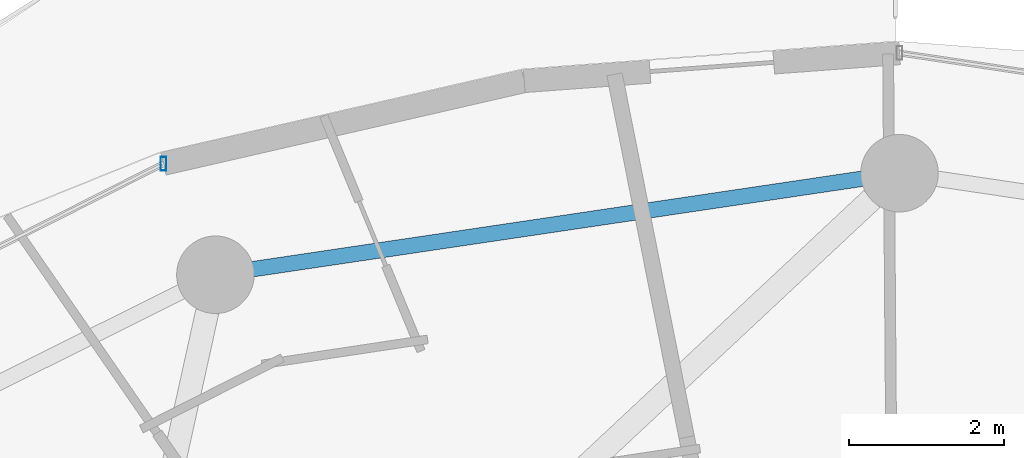
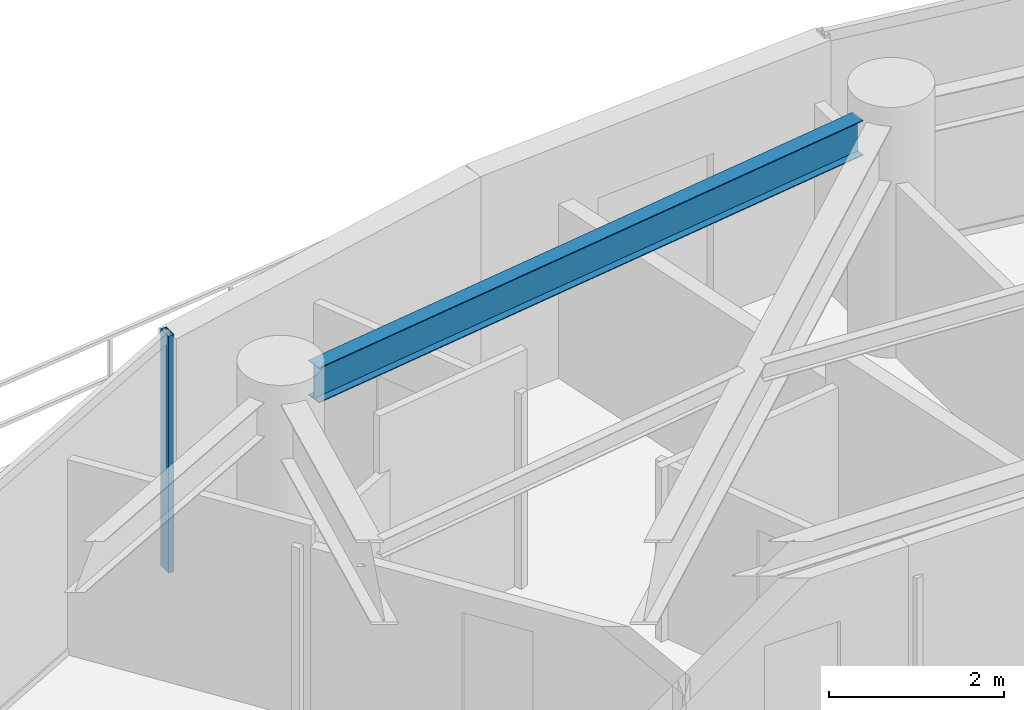
# One storey, part 17 of 30: 1 beam, 1 member, 1 element without a shape of its own.
"""IFC4 building model written with IfcOpenShell, lengths in metres."""

from ifc_helpers import new_model, si_unit, direction, frame, origin, origin_2d, place, context, subcontext, project, spatial, hollow_rectangle, i_section, extrude, material, material_profile, profile_set, type_object, element, aggregate, save


model = new_model("IFC4")

# Units and contexts
model_context = context("Model", 3, precision=1e-05, world=origin(), true_north=direction((0.0, 1.0)))
body_context = subcontext(model_context, "Body", "Model", "MODEL_VIEW")
ifc_project = project(units=[si_unit("LENGTHUNIT", "METRE"), si_unit("AREAUNIT", "SQUARE_METRE"), si_unit("VOLUMEUNIT", "CUBIC_METRE"), si_unit("PLANEANGLEUNIT", "RADIAN"), si_unit("MASSUNIT", "GRAM", prefix="KILO")], contexts=[model_context])

# Site, building, storey
site_placement = place(None, origin())
site = spatial("IfcSite", under=ifc_project, at=site_placement, CompositionType="ELEMENT")
building_placement = place(site_placement, origin())
building = spatial("IfcBuilding", under=site, at=building_placement, Name="Vorneva Point Tower", CompositionType="ELEMENT")
storey_placement = place(building_placement, frame((0.0, 0.0, 157.10009765625)))
storey = spatial("IfcBuildingStorey", under=building, at=storey_placement, Name="L42", CompositionType="ELEMENT", Elevation=157.10009765625)

# Beam
ifc_material_1 = material(Name="Steel S355", Category="steel")
ifc_material_profile_1 = material_profile(ifc_material_1, i_section(OverallWidth=0.199951171875, OverallDepth=0.491943359375, WebThickness=0.0087890625, FlangeThickness=0.011962890625, at=origin_2d()), Name="50B1")
ifc_profile_set_1 = profile_set([ifc_material_profile_1], Name="Steel S355")
beam_type = type_object("IfcBeamType", Name="BM-SPN-50B1", PredefinedType="SPANDREL", material=ifc_profile_set_1)
beam_placement = place(storey_placement, frame((37.520263671875, 43.12890625, 2.993896484375), z_axis=(-0.989161199046, -0.146833655211, 0.0), x_axis=(0.146833655211, -0.989161199046, 0.0)))
element("IfcBeam", 1, at=beam_placement, inside=storey, type_object=beam_type, Name="L42 Perimeter Spandrel Ring Beam 05", PredefinedType="SPANDREL", context=body_context, shape_type="SweptSolid", body=[
    extrude(i_section(OverallWidth=0.199951171875, OverallDepth=0.491943359375, WebThickness=0.0087890625, FlangeThickness=0.011962890625, at=origin_2d()), origin(), (0.0, 0.0, 1.0), 7.94775390625),
])

# Curtain wall, member
ifc_material_2 = material(Name="Pale anodised aluminium", Category="aluminium")
curtain_wall_type = type_object("IfcCurtainWallType", Name="CW-RES-SYS", PredefinedType="NOTDEFINED", material=ifc_material_2)
curtain_wall_placement = place(storey_placement, origin())
curtain_wall = element("IfcCurtainWall", 2, at=curtain_wall_placement, inside=storey, type_object=curtain_wall_type, Name="L42 Unitised Curtain Wall CW-L42-R03", PredefinedType="NOTDEFINED")
ifc_material_profile_2 = material_profile(ifc_material_2, hollow_rectangle(XDim=0.074951171875, YDim=0.179931640625, WallThickness=0.00390625, at=origin_2d()), Name="AL-MUL 180x75x4")
ifc_profile_set_2 = profile_set([ifc_material_profile_2], Name="Pale anodised aluminium")
member_type = type_object("IfcMemberType", Name="CW-MUL-180", PredefinedType="MULLION", material=ifc_profile_set_2)
member_placement = place(storey_placement, frame((28.509521484375, 43.32275390625, -0.0400390625), z_axis=(0.0, 0.0, 1.0), x_axis=(1.0, 0.0, 0.0)))
member = element("IfcMember", 3, at=member_placement, type_object=member_type, Name="CW-L42-R03 Mullion 01", PredefinedType="MULLION", context=body_context, shape_type="SweptSolid", body=[
    extrude(hollow_rectangle(XDim=0.074951171875, YDim=0.179931640625, WallThickness=0.00390625, at=origin_2d()), origin(), (0.0, 0.0, 1.0), 3.31005859375),
])
aggregate(curtain_wall, [member])

save(model, "model.ifc")
